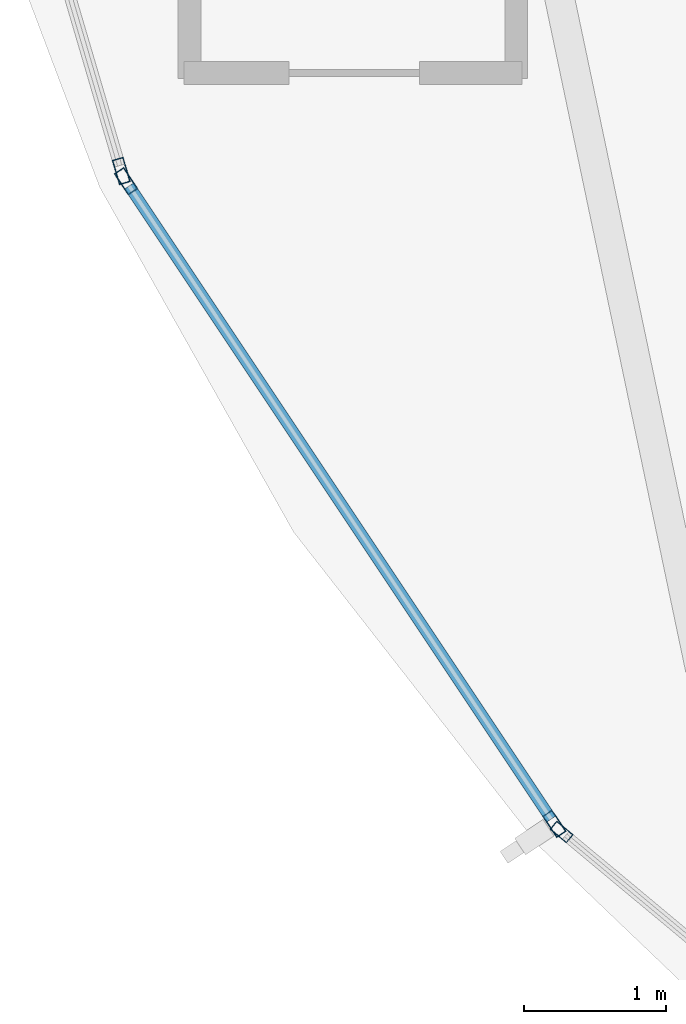
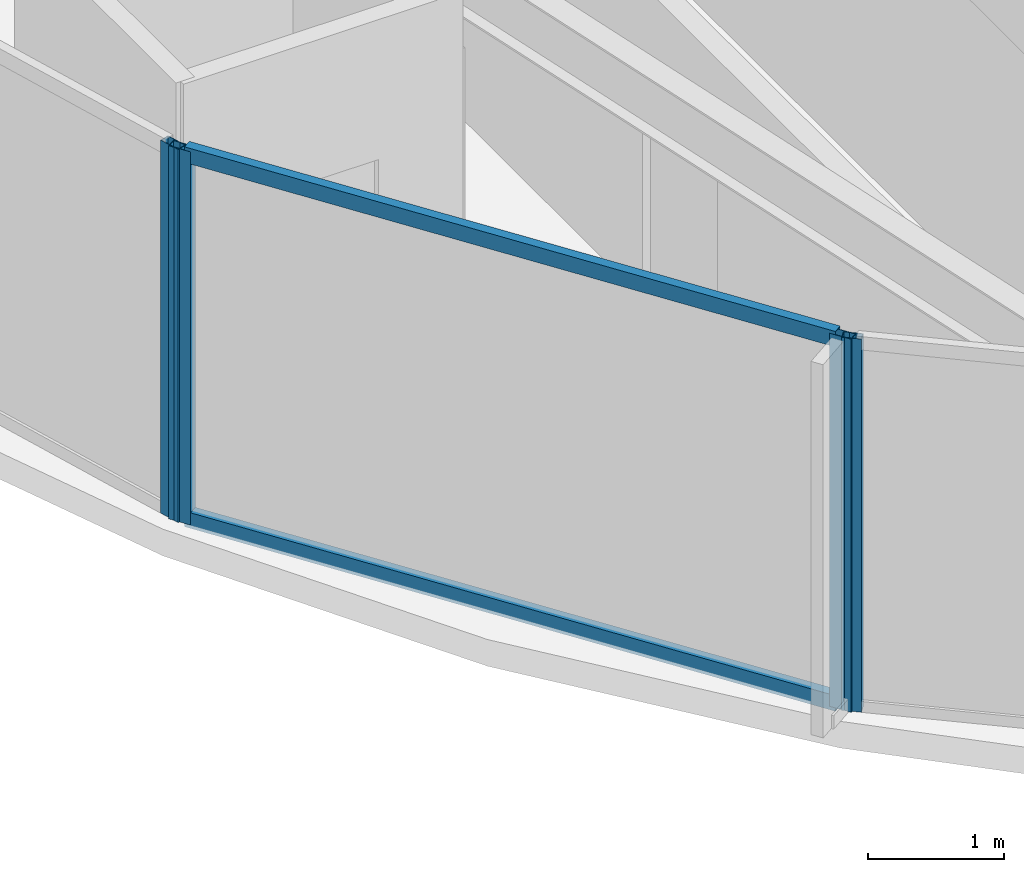
# One storey, part 3 of 31: 6 members, 3 elements without a shape of their own.
"""IFC4 building model written with IfcOpenShell, lengths in metres."""

import ifcopenshell
import ifcopenshell.guid

model = None  # the IFC model being written
_history = None  # IfcOwnerHistory: only IFC2X3 demands one
_inside = {}  # id of a spatial element -> (the spatial element, [elements in it])
_under = {}  # id of a project, library or spatial element -> (it, [spatial elements below it])
_declared = {}  # id of a project -> (the project, [libraries it declares])
_typed = {}  # id of a type object -> (the type object, [elements of that type])
_made_of = {}  # id of a material, layer set ... -> (it, [elements and type objects made of it])


def new_model(schema):
    """Start an empty IFC model of exactly this schema.

    Asked for "IFC4X3", IfcOpenShell would pick the latest addendum, in which some entities
    have other attributes; the version numbers below select the first issue.
    IFC2X3 requires an IfcOwnerHistory on every rooted entity: one is made here for all.
    """
    global model, _history
    if schema == "IFC4X3":
        model = ifcopenshell.file(schema_version=(4, 3, 0, 0))
    else:
        model = ifcopenshell.file(schema=schema)
    _inside.clear()
    _under.clear()
    _declared.clear()
    _typed.clear()
    _made_of.clear()
    _history = None
    if model.schema == "IFC2X3":
        org = make("IfcOrganization", Name="unknown")
        user = make(
            "IfcPersonAndOrganization",
            ThePerson=make("IfcPerson", FamilyName="unknown"),
            TheOrganization=org,
        )
        app = make(
            "IfcApplication",
            ApplicationDeveloper=org,
            Version="unknown",
            ApplicationFullName="unknown",
            ApplicationIdentifier="unknown",
        )
        _history = make(
            "IfcOwnerHistory",
            OwningUser=user,
            OwningApplication=app,
            ChangeAction="ADDED",
            CreationDate=0,
        )
    return model


def make(cls, **values):
    """One entity of the class cls with the attributes given. An attribute that is None is left unset."""
    return model.create_entity(
        cls, **{name: value for name, value in values.items() if value is not None}
    )


def rooted(cls, **values):
    """An entity with a GlobalId (a new one), such as an element, a storey or a relation."""
    return make(cls, GlobalId=ifcopenshell.guid.new(), OwnerHistory=_history, **values)


def si_unit(unit_type, name, prefix=None):
    """IfcSIUnit, for example si_unit("LENGTHUNIT", "METRE", prefix="MILLI")."""
    return make("IfcSIUnit", UnitType=unit_type, Prefix=prefix, Name=name)


def assignment(units):
    """IfcUnitAssignment: the units of a project."""
    return None if units is None else make("IfcUnitAssignment", Units=units)


def point(xyz):
    """IfcCartesianPoint."""
    return None if xyz is None else make("IfcCartesianPoint", Coordinates=xyz)


def direction(xyz):
    """IfcDirection."""
    return None if xyz is None else make("IfcDirection", DirectionRatios=xyz)


def frame(location, z_axis=None, x_axis=None):
    """IfcAxis2Placement3D, a coordinate frame: its origin and axes. An axis left out is left unset."""
    return make(
        "IfcAxis2Placement3D",
        Location=point(location),
        Axis=direction(z_axis),
        RefDirection=direction(x_axis),
    )


def frame_2d(location, x_axis=None):
    """IfcAxis2Placement2D, a coordinate frame in the plane: its origin and x axis."""
    return make(
        "IfcAxis2Placement2D", Location=point(location), RefDirection=direction(x_axis)
    )


def origin():
    """The frame at (0, 0, 0) with its axes left unset."""
    return frame((0.0, 0.0, 0.0))


def origin_2d():
    """The frame at (0, 0) in the plane with its x axis left unset."""
    return frame_2d((0.0, 0.0))


def place(relative_to, where):
    """IfcLocalPlacement: puts the frame where relative to a parent placement (None: the world)."""
    return make(
        "IfcLocalPlacement", PlacementRelTo=relative_to, RelativePlacement=where
    )


def context(
    kind, dimensions, precision=None, world=None, true_north=None, identifier=None
):
    """IfcGeometricRepresentationContext, for example the 3D "Model" context."""
    return make(
        "IfcGeometricRepresentationContext",
        ContextIdentifier=identifier,
        ContextType=kind,
        CoordinateSpaceDimension=dimensions,
        Precision=precision,
        WorldCoordinateSystem=world,
        TrueNorth=true_north,
    )


def subcontext(parent, identifier, kind, view, scale=None):
    """IfcGeometricRepresentationSubContext, for example "Body" below "Model"."""
    return make(
        "IfcGeometricRepresentationSubContext",
        ContextIdentifier=identifier,
        ContextType=kind,
        ParentContext=parent,
        TargetScale=scale,
        TargetView=view,
    )


def project(units=None, contexts=None):
    """IfcProject with its units and contexts."""
    return rooted(
        "IfcProject",
        Name="project",
        RepresentationContexts=contexts,
        UnitsInContext=assignment(units),
    )


def spatial(cls, under=None, at=None, **own):
    """A site, building, storey or space (cls), placed at a placement, below another one or the project."""
    s = rooted(cls, ObjectPlacement=at, **own)
    if under is not None:
        _under.setdefault(under.id(), (under, []))[1].append(s)
    return s


def profile(cls, at=None, kind="AREA", **sizes):
    """A parametric profile (cls). Its sizes go by their IFC names, for example OverallWidth=200.0."""
    return make(cls, ProfileType=kind, Position=at, **sizes)


def hollow_rectangle(**sizes):
    """IfcRectangleHollowProfileDef."""
    return profile("IfcRectangleHollowProfileDef", **sizes)


def extrude(swept, where, along, depth):
    """IfcExtrudedAreaSolid: the profile swept, set in the frame where, extruded along a direction by depth."""
    return make(
        "IfcExtrudedAreaSolid",
        SweptArea=swept,
        Position=where,
        ExtrudedDirection=direction(along),
        Depth=depth,
    )


def shape(context_of_items, identifier, shape_type, items):
    """IfcShapeRepresentation: the items that make up one representation, for example the "Body"."""
    return make(
        "IfcShapeRepresentation",
        ContextOfItems=context_of_items,
        RepresentationIdentifier=identifier,
        RepresentationType=shape_type,
        Items=items,
    )


def material(Name=None, Category=None):
    """IfcMaterial."""
    return make("IfcMaterial", Name=Name, Category=Category)


def layer(
    of_material, thickness, ventilated=None, Name=None, Category=None, Priority=None
):
    """IfcMaterialLayer: one layer of a wall or slab, of a material (None: an air gap)."""
    return make(
        "IfcMaterialLayer",
        Material=of_material,
        LayerThickness=thickness,
        IsVentilated=ventilated,
        Name=Name,
        Category=Category,
        Priority=Priority,
    )


def layer_set(layers, Name=None):
    """IfcMaterialLayerSet."""
    return make("IfcMaterialLayerSet", MaterialLayers=layers, LayerSetName=Name)


def material_profile(
    of_material, cross_section, Name=None, Category=None, Priority=None
):
    """IfcMaterialProfile: a cross section and its material."""
    return make(
        "IfcMaterialProfile",
        Name=Name,
        Material=of_material,
        Profile=cross_section,
        Priority=Priority,
        Category=Category,
    )


def profile_set(profiles, Name=None, composite=None):
    """IfcMaterialProfileSet."""
    return make(
        "IfcMaterialProfileSet",
        Name=Name,
        MaterialProfiles=profiles,
        CompositeProfile=composite,
    )


def made_of(thing, what):
    """Note that an element or type object is made of a material, layer set ...; save() writes the relation."""
    if what is not None:
        _made_of.setdefault(what.id(), (what, []))[1].append(thing)
    return thing


def type_object(cls, material=None, **own):
    """A type object (cls), such as IfcWallType, which elements share."""
    return made_of(rooted(cls, **own), material)


def element(
    cls,
    number,
    at=None,
    inside=None,
    cuts=None,
    type_object=None,
    material=None,
    context=None,
    identifier="Body",
    shape_type=None,
    held_by="IfcProductDefinitionShape",
    body=None,
    shapes=None,
    **own,
):
    """One element of the class cls, such as IfcWall. Its Tag is "e" and its number.

    at: its placement. inside: the storey or other place that contains it. cuts: it is an
    opening in that element (IfcRelVoidsElement). A single representation is given by context,
    identifier, shape_type and body (its items); several are given by shapes. held_by: the class
    of the entity that holds the representations. save() writes the other relations.
    """
    e = rooted(cls, Tag="e%d" % number, ObjectPlacement=at, **own)
    if body is not None:
        shapes = [shape(context, identifier, shape_type, body)]
    if shapes is not None:
        e.Representation = make(held_by, Representations=shapes)
    if inside is not None:
        _inside.setdefault(inside.id(), (inside, []))[1].append(e)
    if cuts is not None:
        rooted(
            "IfcRelVoidsElement", RelatingBuildingElement=cuts, RelatedOpeningElement=e
        )
    if type_object is not None:
        _typed.setdefault(type_object.id(), (type_object, []))[1].append(e)
    return made_of(e, material)


def aggregate(whole, parts):
    """IfcRelAggregates: a whole, such as a stair, and the parts it consists of."""
    return rooted("IfcRelAggregates", RelatingObject=whole, RelatedObjects=parts)


def save(model, path):
    """Write the relations noted so far, then the file.

    IfcRelAggregates (storeys below a building ...), IfcRelContainedInSpatialStructure (elements
    in a storey), IfcRelDefinesByType, IfcRelAssociatesMaterial and IfcRelDeclares: one each for
    every whole, place, type object, material and project.
    """
    for whole, parts in _under.values():
        aggregate(whole, parts)
    for where, things in _inside.values():
        rooted(
            "IfcRelContainedInSpatialStructure",
            RelatedElements=things,
            RelatingStructure=where,
        )
    for kind, things in _typed.values():
        rooted("IfcRelDefinesByType", RelatedObjects=things, RelatingType=kind)
    for what, things in _made_of.values():
        rooted("IfcRelAssociatesMaterial", RelatedObjects=things, RelatingMaterial=what)
    for by, libraries in _declared.values():
        rooted("IfcRelDeclares", RelatingContext=by, RelatedDefinitions=libraries)
    model.write(path)


model = new_model("IFC4")

# Units and contexts
model_context = context("Model", 3, precision=1e-05, world=origin(), true_north=direction((0.0, 1.0)))
body_context = subcontext(model_context, "Body", "Model", "MODEL_VIEW")
ifc_project = project(units=[si_unit("LENGTHUNIT", "METRE"), si_unit("AREAUNIT", "SQUARE_METRE"), si_unit("VOLUMEUNIT", "CUBIC_METRE"), si_unit("PLANEANGLEUNIT", "RADIAN"), si_unit("MASSUNIT", "GRAM", prefix="KILO")], contexts=[model_context])

# Site, building, storey
site_placement = place(None, origin())
site = spatial("IfcSite", under=ifc_project, at=site_placement, CompositionType="ELEMENT")
building_placement = place(site_placement, origin())
building = spatial("IfcBuilding", under=site, at=building_placement, Name="Kazevale Care Tower and Concert Hall", CompositionType="ELEMENT")
storey_placement = place(building_placement, frame((0.0, 0.0, 202.800048828125)))
storey = spatial("IfcBuildingStorey", under=building, at=storey_placement, Name="L53", CompositionType="ELEMENT", Elevation=202.800048828125)

# Curtain wall, members
ifc_material_1 = material(Name="Aluminium 6063-T6 and Low-E Glass", Category="aluminium")
ifc_layer_1 = layer(ifc_material_1, 0.179931640625)
ifc_layer_set_1 = layer_set([ifc_layer_1], Name="Aluminium 6063-T6 and Low-E Glass")
curtain_wall_type_1 = type_object("IfcCurtainWallType", Name="Waist & Upper Residential Curtain Wall CW-4", PredefinedType="NOTDEFINED", material=ifc_layer_set_1)
curtain_wall_1_placement = place(storey_placement, origin())
curtain_wall_1 = element("IfcCurtainWall", 1, at=curtain_wall_1_placement, inside=storey, type_object=curtain_wall_type_1, Name="cw:L53:f11", PredefinedType="NOTDEFINED")
ifc_material_2 = material(Name="Aluminium 6063-T6", Category="aluminium")
ifc_material_profile_1 = material_profile(ifc_material_2, hollow_rectangle(XDim=0.080078125, YDim=0.179931640625, WallThickness=0.0048828125, at=origin_2d()), Name="ALU80x180x5")
ifc_profile_set_1 = profile_set([ifc_material_profile_1], Name="Aluminium 6063-T6")
member_type_1 = type_object("IfcMemberType", Name="CW-4 Mullion ALU80x180x5", PredefinedType="MULLION", material=ifc_profile_set_1)
member_1_placement = place(storey_placement, frame((18.185791015625, 25.26318359375, 0.0), z_axis=(0.0, 0.0, 1.0), x_axis=(-0.832106058512, -0.554616540853, 0.0)))
member_1 = element("IfcMember", 2, at=member_1_placement, type_object=member_type_1, Name="CW-4 mullion 1", PredefinedType="MULLION", context=body_context, shape_type="SweptSolid", body=[
    extrude(hollow_rectangle(XDim=0.080078125, YDim=0.179931640625, WallThickness=0.0048828125, at=origin_2d()), origin(), (0.0, 0.0, 1.0), 3.35986328125),
])
member_2_placement = place(storey_placement, frame((15.170166015625, 29.78759765625, 0.0), z_axis=(0.0, 0.0, 1.0), x_axis=(-0.832106058512, -0.554616540853, 0.0)))
member_2 = element("IfcMember", 3, at=member_2_placement, type_object=member_type_1, Name="CW-4 mullion 2", PredefinedType="MULLION", context=body_context, shape_type="SweptSolid", body=[
    extrude(hollow_rectangle(XDim=0.080078125, YDim=0.179931640625, WallThickness=0.0048828125, at=origin_2d()), origin(), (0.0, 0.0, 1.0), 3.35986328125),
])

# Curtain wall, member
curtain_wall_2_placement = place(storey_placement, origin())
curtain_wall_2 = element("IfcCurtainWall", 4, at=curtain_wall_2_placement, inside=storey, type_object=curtain_wall_type_1, Name="cw:L53:f12", PredefinedType="NOTDEFINED")
member_3_placement = place(storey_placement, frame((15.13671875, 29.859375, 0.0), z_axis=(0.0, 0.0, 1.0), x_axis=(-0.959385539982, -0.282098184457, 0.0)))
member_3 = element("IfcMember", 5, at=member_3_placement, type_object=member_type_1, Name="CW-4 mullion 1", PredefinedType="MULLION", context=body_context, shape_type="SweptSolid", body=[
    extrude(hollow_rectangle(XDim=0.080078125, YDim=0.179931640625, WallThickness=0.0048828125, at=origin_2d()), origin(), (0.0, 0.0, 1.0), 3.35986328125),
])
aggregate(curtain_wall_2, [member_3])

# Member
ifc_material_profile_2 = material_profile(ifc_material_2, hollow_rectangle(XDim=0.080078125, YDim=0.139892578125, WallThickness=0.00390625, at=origin_2d()), Name="ALU80x140x4")
ifc_profile_set_2 = profile_set([ifc_material_profile_2], Name="Aluminium 6063-T6")
member_type_2 = type_object("IfcMemberType", Name="CW-4 Transom ALU80x140x4", PredefinedType="USERDEFINED", material=ifc_profile_set_2)
member_4_placement = place(storey_placement, frame((18.16357421875, 25.296630859375, 0.0400390625), z_axis=(-0.554616059735, 0.832106379187, 0.0), x_axis=(-0.832106379187, -0.554616059735, 0.0)))
member_4 = element("IfcMember", 6, at=member_4_placement, type_object=member_type_2, Name="CW-4 transom 1.1", ObjectType="TRANSOM", PredefinedType="USERDEFINED", context=body_context, shape_type="SweptSolid", body=[
    extrude(hollow_rectangle(XDim=0.080078125, YDim=0.139892578125, WallThickness=0.00390625, at=origin_2d()), origin(), (0.0, 0.0, 1.0), 5.357177734375),
])

member_5_placement = place(storey_placement, frame((18.16357421875, 25.296630859375, 3.320068359375), z_axis=(-0.554616059735, 0.832106379187, 0.0), x_axis=(-0.832106379187, -0.554616059735, 0.0)))
member_5 = element("IfcMember", 7, at=member_5_placement, type_object=member_type_2, Name="CW-4 transom 1.2", ObjectType="TRANSOM", PredefinedType="USERDEFINED", context=body_context, shape_type="SweptSolid", body=[
    extrude(hollow_rectangle(XDim=0.080078125, YDim=0.139892578125, WallThickness=0.00390625, at=origin_2d()), origin(), (0.0, 0.0, 1.0), 5.357177734375),
])

aggregate(curtain_wall_1, [member_1, member_2, member_4, member_5])

# Curtain wall, member
ifc_layer_2 = layer(ifc_material_1, 0.179931640625)
ifc_layer_set_2 = layer_set([ifc_layer_2], Name="Aluminium 6063-T6 and Low-E Glass")
curtain_wall_type_2 = type_object("IfcCurtainWallType", Name="Sheltered Concave Balcony Curtain Wall CW-5", PredefinedType="NOTDEFINED", material=ifc_layer_set_2)
curtain_wall_3_placement = place(storey_placement, origin())
curtain_wall_3 = element("IfcCurtainWall", 8, at=curtain_wall_3_placement, inside=storey, type_object=curtain_wall_type_2, Name="cw:L53:f10", PredefinedType="NOTDEFINED")
ifc_material_profile_3 = material_profile(ifc_material_2, hollow_rectangle(XDim=0.074951171875, YDim=0.14990234375, WallThickness=0.00390625, at=origin_2d()), Name="ALU75x150x4")
ifc_profile_set_3 = profile_set([ifc_material_profile_3], Name="Aluminium 6063-T6")
member_type_3 = type_object("IfcMemberType", Name="CW-5 Mullion ALU75x150x4", PredefinedType="MULLION", material=ifc_profile_set_3)
member_6_placement = place(storey_placement, frame((18.23681640625, 25.2060546875, 0.0), z_axis=(0.0, 0.0, 1.0), x_axis=(-0.639961217204, -0.768407210062, 0.0)))
member_6 = element("IfcMember", 9, at=member_6_placement, type_object=member_type_3, Name="CW-5 mullion 2", PredefinedType="MULLION", context=body_context, shape_type="SweptSolid", body=[
    extrude(hollow_rectangle(XDim=0.074951171875, YDim=0.14990234375, WallThickness=0.00390625, at=origin_2d()), origin(), (0.0, 0.0, 1.0), 3.35986328125),
])
aggregate(curtain_wall_3, [member_6])

save(model, "model.ifc")
